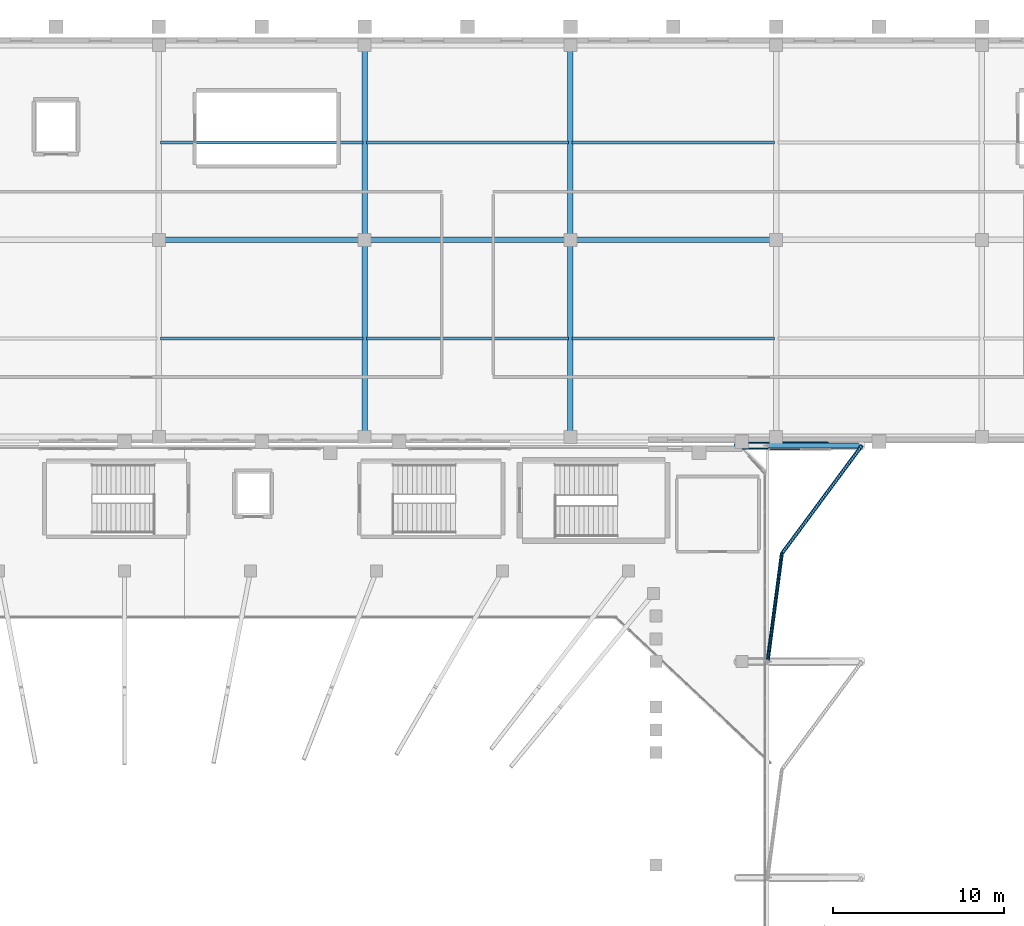
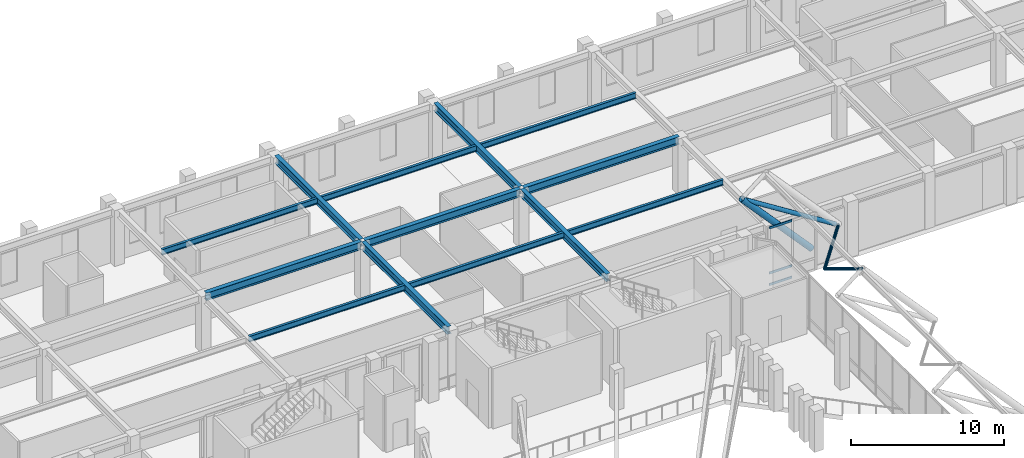
# One storey, part 32 of 79: 13 beams, 7 members, 1 element without a shape of its own.
"""IFC4 building model written with IfcOpenShell, lengths in metres."""

from ifc_helpers import new_model, si_unit, derived_unit, direction, frame, origin, origin_2d, place, context, subcontext, project, spatial, rectangle, hollow_circle, i_section, extrude, material, layer, layer_set, material_profile, profile_set, type_object, element, aggregate, save


model = new_model("IFC4")

# Units and contexts
model_context = context("Model", 3, precision=1e-05, world=origin(), true_north=direction((0.0, 1.0)))
body_context = subcontext(model_context, "Body", "Model", "MODEL_VIEW")
ifc_project = project(units=[si_unit("LENGTHUNIT", "METRE"), si_unit("AREAUNIT", "SQUARE_METRE"), si_unit("VOLUMEUNIT", "CUBIC_METRE"), si_unit("PLANEANGLEUNIT", "RADIAN"), si_unit("MASSUNIT", "GRAM", prefix="KILO"), derived_unit("THERMALTRANSMITTANCEUNIT", [(si_unit("MASSUNIT", "GRAM", prefix="KILO"), 1), (si_unit("TIMEUNIT", "SECOND"), -3), (si_unit("THERMODYNAMICTEMPERATUREUNIT", "KELVIN"), -1)])], contexts=[model_context])

# Site, building, storey
site_placement = place(None, origin())
site = spatial("IfcSite", under=ifc_project, at=site_placement, CompositionType="ELEMENT")
building_placement = place(site_placement, origin())
building = spatial("IfcBuilding", under=site, at=building_placement, Name="Valcora Ridge Arena", CompositionType="ELEMENT")
storey_placement = place(building_placement, frame((0.0, 0.0, 16.199951171875)))
storey = spatial("IfcBuildingStorey", under=building, at=storey_placement, Name="L03", CompositionType="ELEMENT", Elevation=16.199951171875)

# Beams
ifc_material_1 = material(Name="Steel ASTM A572 Grade 50", Category="steel")
ifc_material_profile_1 = material_profile(ifc_material_1, i_section(OverallWidth=0.324951171875, OverallDepth=0.612060546875, WebThickness=0.0126953125, FlangeThickness=0.01904296875, FilletRadius=0.01806640625, at=origin_2d()), Name="W24X104")
ifc_profile_set_1 = profile_set([ifc_material_profile_1], Name="Steel ASTM A572 Grade 50")
beam_type_1 = type_object("IfcBeamType", Name="TY-BEAM-G-W24X104-X", PredefinedType="BEAM", material=ifc_profile_set_1)
for number, where, z_axis, x_axis, name in (
    (1, (60.139892578125, 120.199951171875, 4.154052734375), (1.0, 0.0, 0.0), (0.0, 1.0, 0.0), "G-W24X104-X BEM-G-W24X104-X-0114"),
    (2, (72.139892578125, 120.199951171875, 4.154052734375), (1.0, 0.0, 0.0), (0.0, 1.0, 0.0), "G-W24X104-X BEM-G-W24X104-X-0115"),
    (3, (84.139892578125, 120.199951171875, 4.154052734375), (1.0, 0.0, 0.0), (0.0, 1.0, 0.0), "G-W24X104-X BEM-G-W24X104-X-0116"),
):
    element("IfcBeam", number, at=place(storey_placement, frame(where, z_axis=z_axis, x_axis=x_axis)), inside=storey, type_object=beam_type_1, Name=name, PredefinedType="BEAM", context=body_context, shape_type="SweptSolid", body=[
        extrude(i_section(OverallWidth=0.324951171875, OverallDepth=0.612060546875, WebThickness=0.0126953125, FlangeThickness=0.01904296875, FilletRadius=0.01806640625, at=origin_2d()), origin(), (0.0, 0.0, 1.0), 11.72021484375),
    ])
ifc_material_profile_2 = material_profile(ifc_material_1, i_section(OverallWidth=0.324951171875, OverallDepth=0.612060546875, WebThickness=0.0126953125, FlangeThickness=0.01904296875, FilletRadius=0.01806640625, at=origin_2d()), Name="W24X104")
ifc_profile_set_2 = profile_set([ifc_material_profile_2], Name="Steel ASTM A572 Grade 50")
beam_type_2 = type_object("IfcBeamType", Name="TY-BEAM-G-W24X104-Y", PredefinedType="BEAM", material=ifc_profile_set_2)
beam_1_placement = place(storey_placement, frame((72.0, 108.840087890625, 4.154052734375), z_axis=(0.0, 1.0, 0.0), x_axis=(-1.0, 0.0, 0.0)))
element("IfcBeam", 4, at=beam_1_placement, inside=storey, type_object=beam_type_2, Name="G-W24X104-Y BEM-G-W24X104-Y-0117", PredefinedType="BEAM", context=body_context, shape_type="SweptSolid", body=[
    extrude(i_section(OverallWidth=0.324951171875, OverallDepth=0.612060546875, WebThickness=0.0126953125, FlangeThickness=0.01904296875, FilletRadius=0.01806640625, at=origin_2d()), origin(), (0.0, 0.0, 1.0), 11.219970703125),
])
beam_2_placement = place(storey_placement, frame((72.0, 120.340087890625, 4.154052734375), z_axis=(0.0, 1.0, 0.0), x_axis=(-1.0, 0.0, 0.0)))
element("IfcBeam", 5, at=beam_2_placement, inside=storey, type_object=beam_type_2, Name="G-W24X104-Y BEM-G-W24X104-Y-0118", PredefinedType="BEAM", context=body_context, shape_type="SweptSolid", body=[
    extrude(i_section(OverallWidth=0.324951171875, OverallDepth=0.612060546875, WebThickness=0.0126953125, FlangeThickness=0.01904296875, FilletRadius=0.01806640625, at=origin_2d()), origin(), (0.0, 0.0, 1.0), 11.06982421875),
])
beam_3_placement = place(storey_placement, frame((84.0, 108.840087890625, 4.154052734375), z_axis=(0.0, 1.0, 0.0), x_axis=(-1.0, 0.0, 0.0)))
element("IfcBeam", 6, at=beam_3_placement, inside=storey, type_object=beam_type_2, Name="G-W24X104-Y BEM-G-W24X104-Y-0119", PredefinedType="BEAM", context=body_context, shape_type="SweptSolid", body=[
    extrude(i_section(OverallWidth=0.324951171875, OverallDepth=0.612060546875, WebThickness=0.0126953125, FlangeThickness=0.01904296875, FilletRadius=0.01806640625, at=origin_2d()), origin(), (0.0, 0.0, 1.0), 11.219970703125),
])
beam_4_placement = place(storey_placement, frame((84.0, 120.340087890625, 4.154052734375), z_axis=(0.0, 1.0, 0.0), x_axis=(-1.0, 0.0, 0.0)))
element("IfcBeam", 7, at=beam_4_placement, inside=storey, type_object=beam_type_2, Name="G-W24X104-Y BEM-G-W24X104-Y-0120", PredefinedType="BEAM", context=body_context, shape_type="SweptSolid", body=[
    extrude(i_section(OverallWidth=0.324951171875, OverallDepth=0.612060546875, WebThickness=0.0126953125, FlangeThickness=0.01904296875, FilletRadius=0.01806640625, at=origin_2d()), origin(), (0.0, 0.0, 1.0), 11.06982421875),
])
ifc_material_profile_3 = material_profile(ifc_material_1, i_section(OverallWidth=0.18994140625, OverallDepth=0.45703125, WebThickness=0.009033203125, FlangeThickness=0.014404296875, FilletRadius=0.014892578125, at=origin_2d()), Name="W18X50")
ifc_profile_set_3 = profile_set([ifc_material_profile_3], Name="Steel ASTM A572 Grade 50")
beam_type_3 = type_object("IfcBeamType", Name="TY-BEAM-J-W18X50", PredefinedType="JOIST", material=ifc_profile_set_3)
for number, where, z_axis, x_axis, name in (
    (8, (60.10009765625, 114.449951171875, 4.2314453125), (1.0, 0.0, 0.0), (0.0, 1.0, 0.0), "J-W18X50 BEM-J-W18X50-0084"),
    (9, (60.10009765625, 125.875, 4.2314453125), (1.0, 0.0, 0.0), (0.0, 1.0, 0.0), "J-W18X50 BEM-J-W18X50-0085"),
    (10, (72.10009765625, 114.449951171875, 4.2314453125), (1.0, 0.0, 0.0), (0.0, 1.0, 0.0), "J-W18X50 BEM-J-W18X50-0086"),
    (11, (72.10009765625, 125.875, 4.2314453125), (1.0, 0.0, 0.0), (0.0, 1.0, 0.0), "J-W18X50 BEM-J-W18X50-0087"),
    (12, (84.10009765625, 114.449951171875, 4.2314453125), (1.0, 0.0, 0.0), (0.0, 1.0, 0.0), "J-W18X50 BEM-J-W18X50-0088"),
    (13, (84.10009765625, 125.875, 4.2314453125), (1.0, 0.0, 0.0), (0.0, 1.0, 0.0), "J-W18X50 BEM-J-W18X50-0089"),
):
    element("IfcBeam", number, at=place(storey_placement, frame(where, z_axis=z_axis, x_axis=x_axis)), inside=storey, type_object=beam_type_3, Name=name, PredefinedType="JOIST", context=body_context, shape_type="SweptSolid", body=[
        extrude(i_section(OverallWidth=0.18994140625, OverallDepth=0.45703125, WebThickness=0.009033203125, FlangeThickness=0.014404296875, FilletRadius=0.014892578125, at=origin_2d()), origin(), (0.0, 0.0, 1.0), 11.7998046875),
    ])

# Curtain wall, members
ifc_material_2 = material(Name="Anodised dark bronze architectural aluminium 6063-T6", Category="aluminium")
ifc_layer = layer(ifc_material_2, 0.179931640625, Name="Anodised dark bronze architectural aluminium 6063-T6")
ifc_layer_set = layer_set([ifc_layer], Name="Anodised dark bronze architectural aluminium 6063-T6")
curtain_wall_type = type_object("IfcCurtainWallType", Name="TY-CURTAINWALL-CW-V1-TYMPN-036X46", PredefinedType="NOTDEFINED", material=ifc_layer_set)
curtain_wall_placement = place(storey_placement, origin())
curtain_wall = element("IfcCurtainWall", 14, at=curtain_wall_placement, inside=storey, type_object=curtain_wall_type, Name="CW-V1-TYMPN-036X46 CW-0183", PredefinedType="NOTDEFINED")
ifc_material_profile_4 = material_profile(ifc_material_2, rectangle(XDim=0.06005859375, YDim=0.179931640625, at=origin_2d()), Name="ALU TRANSOM 60x180")
ifc_profile_set_4 = profile_set([ifc_material_profile_4], Name="Anodised dark bronze architectural aluminium 6063-T6")
member_type_1 = type_object("IfcMemberType", Name="TY-MEM-CWT-60x180", PredefinedType="USERDEFINED", material=ifc_profile_set_4)
member_1_placement = place(storey_placement, frame((95.659912109375, 107.97998046875, 0.030029296875), z_axis=(1.0, 0.0, 0.0), x_axis=(0.0, 1.0, 0.0)))
member_1 = element("IfcMember", 15, at=member_1_placement, type_object=member_type_1, Name="CW-0183/CWT-60x180/T00-00", ObjectType="TRANSOM", PredefinedType="USERDEFINED", context=body_context, shape_type="SweptSolid", body=[
    extrude(rectangle(XDim=0.06005859375, YDim=0.179931640625, at=origin_2d()), origin(), (0.0, 0.0, 1.0), 1.710205078125),
])
member_2_placement = place(storey_placement, frame((95.659912109375, 107.97998046875, 0.949951171875), z_axis=(1.0, 0.0, 0.0), x_axis=(0.0, 1.0, 0.0)))
member_2 = element("IfcMember", 16, at=member_2_placement, type_object=member_type_1, Name="CW-0183/CWT-60x180/T00-01", ObjectType="TRANSOM", PredefinedType="USERDEFINED", context=body_context, shape_type="SweptSolid", body=[
    extrude(rectangle(XDim=0.06005859375, YDim=0.179931640625, at=origin_2d()), origin(), (0.0, 0.0, 1.0), 1.710205078125),
])
member_3_placement = place(storey_placement, frame((95.659912109375, 107.97998046875, 4.549560546875), z_axis=(1.0, 0.0, 0.0), x_axis=(0.0, 1.0, 0.0)))
member_3 = element("IfcMember", 17, at=member_3_placement, type_object=member_type_1, Name="CW-0183/CWT-60x180/T00-02", ObjectType="TRANSOM", PredefinedType="USERDEFINED", context=body_context, shape_type="SweptSolid", body=[
    extrude(rectangle(XDim=0.06005859375, YDim=0.179931640625, at=origin_2d()), origin(), (0.0, 0.0, 1.0), 1.710205078125),
])
aggregate(curtain_wall, [member_1, member_2, member_3])

# Members
ifc_material_3 = material(Name="Steel ASTM A500 Grade C", Category="steel")
ifc_material_profile_5 = material_profile(ifc_material_3, hollow_circle(Radius=0.228515625, WallThickness=0.01611328125, at=origin_2d()), Name="CHS457X16")
ifc_profile_set_5 = profile_set([ifc_material_profile_5], Name="Steel ASTM A500 Grade C")
member_type_2 = type_object("IfcMemberType", Name="TY-MEMBER-SFBC-457", PredefinedType="CHORD", material=ifc_profile_set_5)
member_4_placement = place(storey_placement, frame((93.705322265625, 108.199951171875, 7.423095703125), z_axis=(0.672624540647, 0.0, -0.739983937204), x_axis=(0.0, 1.0, 0.0)))
element("IfcMember", 18, at=member_4_placement, inside=storey, type_object=member_type_2, Name="SFBC-457 Space Frame Bottom Chord", PredefinedType="CHORD", context=body_context, shape_type="SweptSolid", body=[
    extrude(hollow_circle(Radius=0.228515625, WallThickness=0.01611328125, at=origin_2d()), origin(), (0.0, 0.0, 1.0), 7.80712890625),
])
ifc_material_profile_6 = material_profile(ifc_material_3, hollow_circle(Radius=0.109619140625, WallThickness=0.010009765625, at=origin_2d()), Name="CHS219X10")
ifc_profile_set_6 = profile_set([ifc_material_profile_6], Name="Steel ASTM A500 Grade C")
member_type_3 = type_object("IfcMemberType", Name="TY-MEMBER-SFST-219", PredefinedType="STRUT", material=ifc_profile_set_6)
member_5_placement = place(storey_placement, frame((96.330810546875, 101.89990234375, 4.74072265625), z_axis=(-0.109756171146, -0.832250437923, 0.543426896162), x_axis=(0.991415805318, -0.130746705375, 0.0)))
element("IfcMember", 19, at=member_5_placement, inside=storey, type_object=member_type_3, Name="SFST-219 Space Frame Tie Strut", PredefinedType="STRUT", context=body_context, shape_type="SweptSolid", body=[
    extrude(hollow_circle(Radius=0.109619140625, WallThickness=0.010009765625, at=origin_2d()), origin(), (0.0, 0.0, 1.0), 7.569580078125),
])
member_6_placement = place(storey_placement, frame((96.330810546875, 101.89990234375, 4.74072265625), z_axis=(0.578057899138, 0.779962566654, -0.23980713055), x_axis=(-0.803405497259, 0.595432285801, 0.0)))
element("IfcMember", 20, at=member_6_placement, inside=storey, type_object=member_type_3, Name="SFST-219 Space Frame Tie Strut", PredefinedType="STRUT", context=body_context, shape_type="SweptSolid", body=[
    extrude(hollow_circle(Radius=0.109619140625, WallThickness=0.010009765625, at=origin_2d()), origin(), (0.0, 0.0, 1.0), 8.077392578125),
])
ifc_material_profile_7 = material_profile(ifc_material_3, hollow_circle(Radius=0.161865234375, WallThickness=0.012451171875, at=origin_2d()), Name="CHS323X12")
ifc_profile_set_7 = profile_set([ifc_material_profile_7], Name="Steel ASTM A500 Grade C")
member_type_4 = type_object("IfcMemberType", Name="TY-MEMBER-SFWB-323", PredefinedType="BRACE", material=ifc_profile_set_7)
member_7_placement = place(storey_placement, frame((93.840576171875, 108.199951171875, 7.33740234375), z_axis=(0.84484331641, 0.0, -0.535013804231), x_axis=(0.0, 1.0, 0.0)))
element("IfcMember", 21, at=member_7_placement, inside=storey, type_object=member_type_4, Name="SFWB-323 Space Frame Diagonal Brace", PredefinedType="BRACE", context=body_context, shape_type="SweptSolid", body=[
    extrude(hollow_circle(Radius=0.161865234375, WallThickness=0.012451171875, at=origin_2d()), origin(), (0.0, 0.0, 1.0), 8.1943359375),
])

save(model, "model.ifc")
